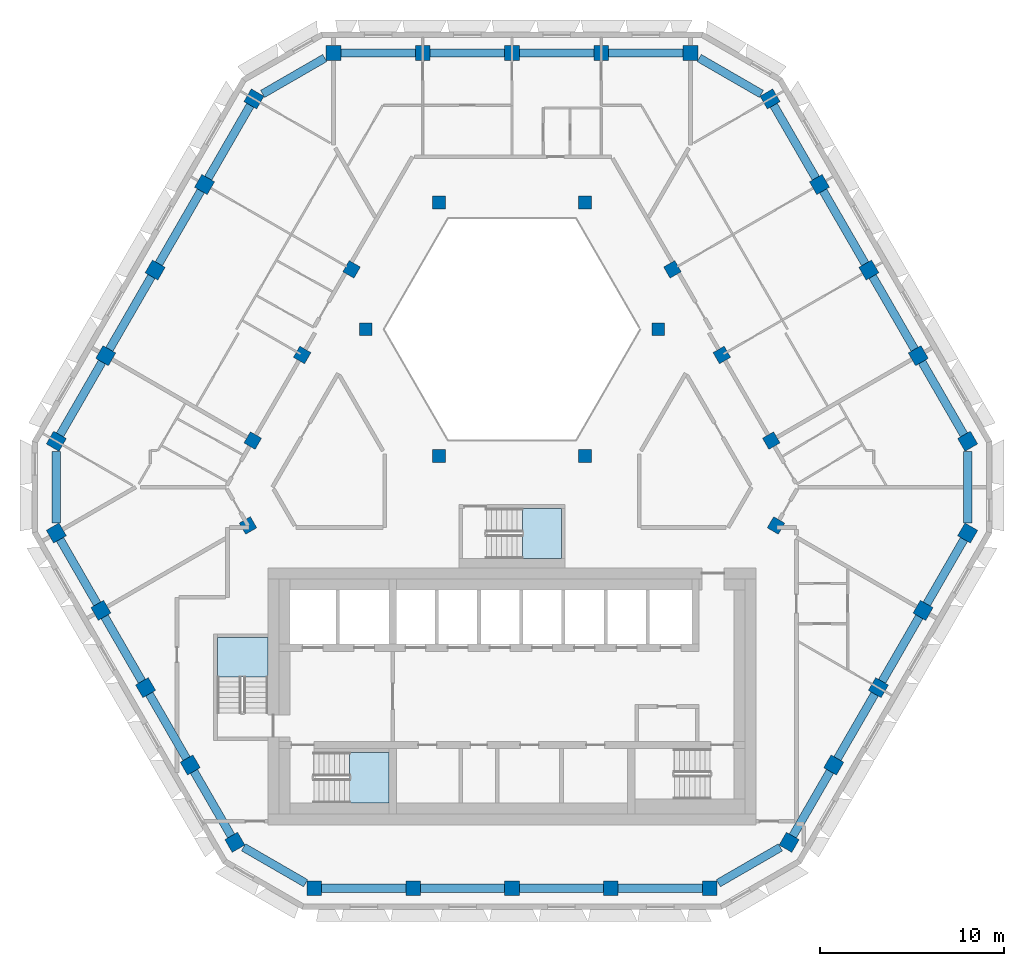
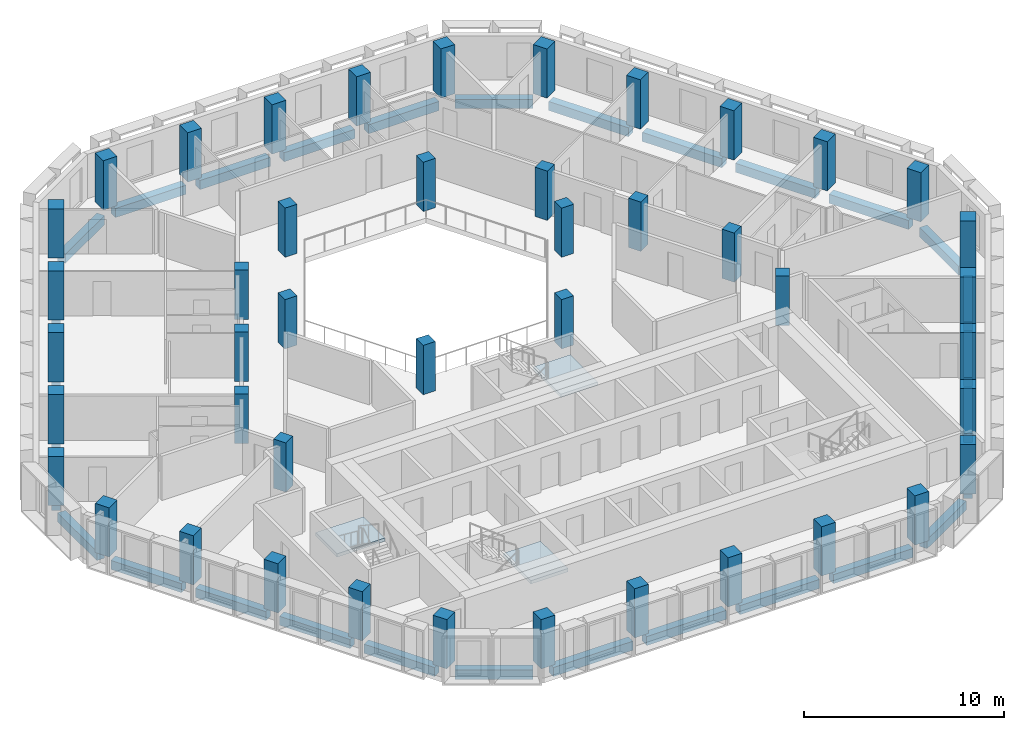
# One storey, part 1 of 15: 44 columns, 30 beams, 3 slabs, 3 elements without a shape of their own.
"""IFC4 building model written with IfcOpenShell, lengths in metres."""

from ifc_helpers import new_model, si_unit, direction, frame, origin, origin_2d, place, context, subcontext, project, spatial, polyline, rectangle, outline, extrude, material, layer, layer_set, material_profile, profile_set, type_object, element, aggregate, save


model = new_model("IFC4")

# Units and contexts
model_context = context("Model", 3, precision=1e-05, world=origin(), true_north=direction((0.0, 1.0)))
body_context = subcontext(model_context, "Body", "Model", "MODEL_VIEW")
ifc_project = project(units=[si_unit("LENGTHUNIT", "METRE"), si_unit("AREAUNIT", "SQUARE_METRE"), si_unit("VOLUMEUNIT", "CUBIC_METRE"), si_unit("PLANEANGLEUNIT", "RADIAN"), si_unit("MASSUNIT", "GRAM", prefix="KILO")], contexts=[model_context])

# Site, building, storey
site_placement = place(None, origin())
site = spatial("IfcSite", under=ifc_project, at=site_placement, CompositionType="ELEMENT")
building_placement = place(site_placement, origin())
building = spatial("IfcBuilding", under=site, at=building_placement, Name="Beryl Residences", CompositionType="ELEMENT")
storey_placement = place(building_placement, frame((0.0, 0.0, 187.199951171875)))
storey = spatial("IfcBuildingStorey", under=building, at=storey_placement, Name="L57", CompositionType="ELEMENT", Elevation=187.199951171875)

# Columns
ifc_material_1 = material(Name="Concrete C50/60", Category="concrete")
ifc_material_profile_1 = material_profile(ifc_material_1, rectangle(XDim=0.800048828125, YDim=0.800048828125, at=origin_2d()))
ifc_profile_set_1 = profile_set([ifc_material_profile_1], Name="Concrete C50/60")
column_type_1 = type_object("IfcColumnType", Name="C4 tube column 800 x 800 C50/60", PredefinedType="COLUMN", material=ifc_profile_set_1)
for number, where, z_axis, x_axis, name in (
    (1, (9.72802734375, 23.050048828125, 0.0), (0.0, 0.0, 1.0), (-1.0, 0.0, 0.0), "C4-N1 L57"),
    (2, (4.864013671875, 23.050048828125, 0.0), (0.0, 0.0, 1.0), (-1.0, 0.0, 0.0), "C4-N2 L57"),
    (3, (0.0, 23.050048828125, 0.0), (0.0, 0.0, 1.0), (-1.0, 0.0, 0.0), "C4-N3 L57"),
    (4, (-4.864013671875, 23.050048828125, 0.0), (0.0, 0.0, 1.0), (-1.0, 0.0, 0.0), "C4-N4 L57"),
    (5, (-9.72802734375, 23.050048828125, 0.0), (0.0, 0.0, 1.0), (-1.0, 0.0, 0.0), "C4-N5 L57"),
    (6, (-14.05810546875, 20.550048828125, 0.0), (0.0, 0.0, 1.0), (-0.5, -0.866025403784, 0.0), "C4-NW1 L57"),
    (7, (-16.75, 15.887939453125, 0.0), (0.0, 0.0, 1.0), (-0.5, -0.866025403784, 0.0), "C4-NW2 L57"),
    (8, (-19.44189453125, 11.22509765625, 0.0), (0.0, 0.0, 1.0), (-0.5, -0.866025403784, 0.0), "C4-NW3 L57"),
    (9, (-22.134033203125, 6.56201171875, 0.0), (0.0, 0.0, 1.0), (-0.5, -0.866025403784, 0.0), "C4-NW4 L57"),
    (10, (-24.825927734375, 1.89990234375, 0.0), (0.0, 0.0, 1.0), (-0.5, -0.866025403784, 0.0), "C4-NW5 L57"),
    (11, (-24.825927734375, -3.09912109375, 0.0), (0.0, 0.0, 1.0), (0.5, -0.866025403784, 0.0), "C4-SW1 L57"),
    (12, (-22.39404296875, -7.31201171875, 0.0), (0.0, 0.0, 1.0), (0.5, -0.866025403784, 0.0), "C4-SW2 L57"),
    (13, (-19.9619140625, -11.52392578125, 0.0), (0.0, 0.0, 1.0), (0.5, -0.866025403784, 0.0), "C4-SW3 L57"),
    (14, (-17.530029296875, -15.736083984375, 0.0), (0.0, 0.0, 1.0), (0.5, -0.866025403784, 0.0), "C4-SW4 L57"),
    (15, (-15.097900390625, -19.948974609375, 0.0), (0.0, 0.0, 1.0), (0.5, -0.866025403784, 0.0), "C4-SW5 L57"),
    (16, (-10.76708984375, -22.449951171875, 0.0), (0.0, 0.0, 1.0), (1.0, 0.0, 0.0), "C4-S1 L57"),
    (17, (-5.383056640625, -22.449951171875, 0.0), (0.0, 0.0, 1.0), (1.0, 0.0, 0.0), "C4-S2 L57"),
    (18, (0.0009765625, -22.449951171875, 0.0), (0.0, 0.0, 1.0), (1.0, 0.0, 0.0), "C4-S3 L57"),
    (19, (5.385009765625, -22.449951171875, 0.0), (0.0, 0.0, 1.0), (1.0, 0.0, 0.0), "C4-S4 L57"),
    (20, (10.76904296875, -22.449951171875, 0.0), (0.0, 0.0, 1.0), (1.0, 0.0, 0.0), "C4-S5 L57"),
    (21, (15.096923828125, -19.950927734375, 0.0), (0.0, 0.0, 1.0), (0.5, 0.866025403784, 0.0), "C4-SE1 L57"),
    (22, (17.529052734375, -15.738037109375, 0.0), (0.0, 0.0, 1.0), (0.5, 0.866025403784, 0.0), "C4-SE2 L57"),
    (23, (19.9609375, -11.52587890625, 0.0), (0.0, 0.0, 1.0), (0.5, 0.866025403784, 0.0), "C4-SE3 L57"),
    (24, (22.39306640625, -7.31396484375, 0.0), (0.0, 0.0, 1.0), (0.5, 0.866025403784, 0.0), "C4-SE4 L57"),
    (25, (24.824951171875, -3.10107421875, 0.0), (0.0, 0.0, 1.0), (0.5, 0.866025403784, 0.0), "C4-SE5 L57"),
    (26, (24.825927734375, 1.89990234375, 0.0), (0.0, 0.0, 1.0), (-0.5, 0.866025403784, 0.0), "C4-NE1 L57"),
    (27, (22.134033203125, 6.56201171875, 0.0), (0.0, 0.0, 1.0), (-0.5, 0.866025403784, 0.0), "C4-NE2 L57"),
    (28, (19.44189453125, 11.22509765625, 0.0), (0.0, 0.0, 1.0), (-0.5, 0.866025403784, 0.0), "C4-NE3 L57"),
    (29, (16.75, 15.887939453125, 0.0), (0.0, 0.0, 1.0), (-0.5, 0.866025403784, 0.0), "C4-NE4 L57"),
    (30, (14.05810546875, 20.550048828125, 0.0), (0.0, 0.0, 1.0), (-0.5, 0.866025403784, 0.0), "C4-NE5 L57"),
):
    element("IfcColumn", number, at=place(storey_placement, frame(where, z_axis=z_axis, x_axis=x_axis)), inside=storey, type_object=column_type_1, Name=name, PredefinedType="COLUMN", context=body_context, shape_type="SweptSolid", body=[
        extrude(rectangle(XDim=0.800048828125, YDim=0.800048828125, at=origin_2d()), origin(), (0.0, 0.0, 1.0), 3.0),
    ])
ifc_material_2 = material(Name="Concrete C50/60", Category="concrete")
ifc_material_profile_2 = material_profile(ifc_material_2, rectangle(XDim=0.699951171875, YDim=0.699951171875, at=origin_2d()))
ifc_profile_set_2 = profile_set([ifc_material_profile_2], Name="Concrete C50/60")
column_type_2 = type_object("IfcColumnType", Name="IC4 interior column 700 x 700 C50/60", PredefinedType="COLUMN", material=ifc_profile_set_2)
for number, where, z_axis, x_axis, name in (
    (31, (-14.383056640625, -2.68701171875, 0.0), (0.0, 0.0, 1.0), (0.5, -0.866025403784, 0.0), "IC4-M01 L57"),
    (32, (14.382080078125, -2.68896484375, 0.0), (0.0, 0.0, 1.0), (0.5, 0.866025403784, 0.0), "IC4-M02 L57"),
    (33, (14.123046875, 1.93701171875, 0.0), (0.0, 0.0, 1.0), (-0.5, 0.866025403784, 0.0), "IC4-M03 L57"),
    (34, (3.98388671875, 1.10009765625, 0.0), (0.0, 0.0, 1.0), (1.0, 0.0, 0.0), "IC4-A04 L57"),
    (35, (11.430908203125, 6.60009765625, 0.0), (0.0, 0.0, 1.0), (-0.5, 0.866025403784, 0.0), "IC4-M05 L57"),
    (36, (7.967041015625, 8.0, 0.0), (0.0, 0.0, 1.0), (1.0, 0.0, 0.0), "IC4-A06 L57"),
    (37, (8.739013671875, 11.262939453125, 0.0), (0.0, 0.0, 1.0), (-0.5, 0.866025403784, 0.0), "IC4-M07 L57"),
    (38, (3.98388671875, 14.89990234375, 0.0), (0.0, 0.0, 1.0), (1.0, 0.0, 0.0), "IC4-A08 L57"),
    (39, (-3.98388671875, 14.89990234375, 0.0), (0.0, 0.0, 1.0), (1.0, 0.0, 0.0), "IC4-A09 L57"),
    (40, (-8.739013671875, 11.262939453125, 0.0), (0.0, 0.0, 1.0), (-0.5, -0.866025403784, 0.0), "IC4-M10 L57"),
    (41, (-7.967041015625, 8.0, 0.0), (0.0, 0.0, 1.0), (1.0, 0.0, 0.0), "IC4-A11 L57"),
    (42, (-11.430908203125, 6.60009765625, 0.0), (0.0, 0.0, 1.0), (-0.5, -0.866025403784, 0.0), "IC4-M12 L57"),
    (43, (-3.98388671875, 1.10009765625, 0.0), (0.0, 0.0, 1.0), (1.0, 0.0, 0.0), "IC4-A13 L57"),
    (44, (-14.123046875, 1.93701171875, 0.0), (0.0, 0.0, 1.0), (-0.5, -0.866025403784, 0.0), "IC4-M14 L57"),
):
    element("IfcColumn", number, at=place(storey_placement, frame(where, z_axis=z_axis, x_axis=x_axis)), inside=storey, type_object=column_type_2, Name=name, PredefinedType="COLUMN", context=body_context, shape_type="SweptSolid", body=[
        extrude(rectangle(XDim=0.699951171875, YDim=0.699951171875, at=origin_2d()), origin(), (0.0, 0.0, 1.0), 3.0),
    ])

# Beams
ifc_material_3 = material(Name="Concrete C50/60", Category="concrete")
ifc_material_profile_3 = material_profile(ifc_material_3, rectangle(XDim=0.449951171875, YDim=0.550048828125, at=origin_2d()))
ifc_profile_set_3 = profile_set([ifc_material_profile_3], Name="Concrete C50/60")
beam_type = type_object("IfcBeamType", Name="SB4 spandrel beam 450 x 550 C50/60", PredefinedType="SPANDREL", material=ifc_profile_set_3)
beam_1_placement = place(storey_placement, frame((9.327880859375, 23.050048828125, -0.574951171875), z_axis=(-1.0, 0.0, 0.0), x_axis=(0.0, -1.0, 0.0)))
element("IfcBeam", 45, at=beam_1_placement, inside=storey, type_object=beam_type, Name="SB4 L57 N-0", PredefinedType="SPANDREL", context=body_context, shape_type="SweptSolid", body=[
    extrude(rectangle(XDim=0.449951171875, YDim=0.550048828125, at=origin_2d()), origin(), (0.0, 0.0, 1.0), 4.06396484375),
])
for number, where, z_axis, x_axis, name in (
    (46, (4.464111328125, 23.050048828125, -0.574951171875), (-1.0, 0.0, 0.0), (0.0, -1.0, 0.0), "SB4 L57 N-1"),
    (47, (-0.39990234375, 23.050048828125, -0.574951171875), (-1.0, 0.0, 0.0), (0.0, -1.0, 0.0), "SB4 L57 N-2"),
):
    element("IfcBeam", number, at=place(storey_placement, frame(where, z_axis=z_axis, x_axis=x_axis)), inside=storey, type_object=beam_type, Name=name, PredefinedType="SPANDREL", context=body_context, shape_type="SweptSolid", body=[
        extrude(rectangle(XDim=0.449951171875, YDim=0.550048828125, at=origin_2d()), origin(), (0.0, 0.0, 1.0), 4.064208984375),
    ])
beam_2_placement = place(storey_placement, frame((-5.263916015625, 23.050048828125, -0.574951171875), z_axis=(-1.0, 0.0, 0.0), x_axis=(0.0, -1.0, 0.0)))
element("IfcBeam", 48, at=beam_2_placement, inside=storey, type_object=beam_type, Name="SB4 L57 N-3", PredefinedType="SPANDREL", context=body_context, shape_type="SweptSolid", body=[
    extrude(rectangle(XDim=0.449951171875, YDim=0.550048828125, at=origin_2d()), origin(), (0.0, 0.0, 1.0), 4.06396484375),
])
beam_3_placement = place(storey_placement, frame((-10.200927734375, 22.777099609375, -0.574951171875), z_axis=(-0.865988935984, -0.500063158763, 0.0), x_axis=(0.500063158763, -0.865988935984, 0.0)))
element("IfcBeam", 49, at=beam_3_placement, inside=storey, type_object=beam_type, Name="SB4 L57 N-4", PredefinedType="SPANDREL", context=body_context, shape_type="SweptSolid", body=[
    extrude(rectangle(XDim=0.449951171875, YDim=0.550048828125, at=origin_2d()), origin(), (0.0, 0.0, 1.0), 3.90771484375),
])
beam_4_placement = place(storey_placement, frame((-14.258056640625, 20.2041015625, -0.574951171875), z_axis=(-0.499965247104, -0.866045467449, 0.0), x_axis=(0.866045467449, -0.499965247104, 0.0)))
element("IfcBeam", 50, at=beam_4_placement, inside=storey, type_object=beam_type, Name="SB4 L57 NW-0", PredefinedType="SPANDREL", context=body_context, shape_type="SweptSolid", body=[
    extrude(rectangle(XDim=0.449951171875, YDim=0.550048828125, at=origin_2d()), origin(), (0.0, 0.0, 1.0), 4.584228515625),
])
for number, where, z_axis, x_axis, name in (
    (51, (-16.949951171875, 15.5419921875, -0.574951171875), (-0.499896077001, -0.866085395443, 0.0), (0.866085395443, -0.499896077001, 0.0), "SB4 L57 NW-1"),
    (52, (-19.64208984375, 10.87890625, -0.574951171875), (-0.499896077001, -0.866085395443, 0.0), (0.866085395443, -0.499896077001, 0.0), "SB4 L57 NW-2"),
):
    element("IfcBeam", number, at=place(storey_placement, frame(where, z_axis=z_axis, x_axis=x_axis)), inside=storey, type_object=beam_type, Name=name, PredefinedType="SPANDREL", context=body_context, shape_type="SweptSolid", body=[
        extrude(rectangle(XDim=0.449951171875, YDim=0.550048828125, at=origin_2d()), origin(), (0.0, 0.0, 1.0), 4.5849609375),
    ])
beam_5_placement = place(storey_placement, frame((-22.333984375, 6.216064453125, -0.574951171875), z_axis=(-0.49998830735, -0.866032154434, 0.0), x_axis=(0.866032154434, -0.49998830735, 0.0)))
element("IfcBeam", 53, at=beam_5_placement, inside=storey, type_object=beam_type, Name="SB4 L57 NW-3", PredefinedType="SPANDREL", context=body_context, shape_type="SweptSolid", body=[
    extrude(rectangle(XDim=0.449951171875, YDim=0.550048828125, at=origin_2d()), origin(), (0.0, 0.0, 1.0), 4.583984375),
])
beam_6_placement = place(storey_placement, frame((-24.825927734375, 1.35400390625, -0.574951171875), z_axis=(0.0, -1.0, 0.0), x_axis=(1.0, 0.0, 0.0)))
element("IfcBeam", 54, at=beam_6_placement, inside=storey, type_object=beam_type, Name="SB4 L57 NW-4", PredefinedType="SPANDREL", context=body_context, shape_type="SweptSolid", body=[
    extrude(rectangle(XDim=0.449951171875, YDim=0.550048828125, at=origin_2d()), origin(), (0.0, 0.0, 1.0), 3.906982421875),
])
beam_7_placement = place(storey_placement, frame((-24.6259765625, -3.445068359375, -0.574951171875), z_axis=(0.499840293234, -0.866117590896, 0.0), x_axis=(0.866117590896, 0.499840293234, 0.0)))
element("IfcBeam", 55, at=beam_7_placement, inside=storey, type_object=beam_type, Name="SB4 L57 SW-0", PredefinedType="SPANDREL", context=body_context, shape_type="SweptSolid", body=[
    extrude(rectangle(XDim=0.449951171875, YDim=0.550048828125, at=origin_2d()), origin(), (0.0, 0.0, 1.0), 4.065185546875),
])
beam_8_placement = place(storey_placement, frame((-22.194091796875, -7.657958984375, -0.574951171875), z_axis=(0.499944307952, -0.866057555216, 0.0), x_axis=(0.866057555216, 0.499944307952, 0.0)))
element("IfcBeam", 56, at=beam_8_placement, inside=storey, type_object=beam_type, Name="SB4 L57 SW-1", PredefinedType="SPANDREL", context=body_context, shape_type="SweptSolid", body=[
    extrude(rectangle(XDim=0.449951171875, YDim=0.550048828125, at=origin_2d()), origin(), (0.0, 0.0, 1.0), 4.064453125),
])
beam_9_placement = place(storey_placement, frame((-19.761962890625, -11.8701171875, -0.574951171875), z_axis=(0.499970317269, -0.866042540439, 0.0), x_axis=(0.866042540439, 0.499970317269, 0.0)))
element("IfcBeam", 57, at=beam_9_placement, inside=storey, type_object=beam_type, Name="SB4 L57 SW-2", PredefinedType="SPANDREL", context=body_context, shape_type="SweptSolid", body=[
    extrude(rectangle(XDim=0.449951171875, YDim=0.550048828125, at=origin_2d()), origin(), (0.0, 0.0, 1.0), 4.064208984375),
])
beam_10_placement = place(storey_placement, frame((-17.330078125, -16.08203125, -0.574951171875), z_axis=(0.499840293234, -0.866117590896, 0.0), x_axis=(0.866117590896, 0.499840293234, 0.0)))
element("IfcBeam", 58, at=beam_10_placement, inside=storey, type_object=beam_type, Name="SB4 L57 SW-3", PredefinedType="SPANDREL", context=body_context, shape_type="SweptSolid", body=[
    extrude(rectangle(XDim=0.449951171875, YDim=0.550048828125, at=origin_2d()), origin(), (0.0, 0.0, 1.0), 4.065185546875),
])
beam_11_placement = place(storey_placement, frame((-14.625, -20.221923828125, -0.574951171875), z_axis=(0.865943218558, -0.500142321977, 0.0), x_axis=(0.500142321977, 0.865943218558, 0.0)))
element("IfcBeam", 59, at=beam_11_placement, inside=storey, type_object=beam_type, Name="SB4 L57 SW-4", PredefinedType="SPANDREL", context=body_context, shape_type="SweptSolid", body=[
    extrude(rectangle(XDim=0.449951171875, YDim=0.550048828125, at=origin_2d()), origin(), (0.0, 0.0, 1.0), 3.908935546875),
])
for number, where, z_axis, x_axis, name in (
    (60, (-10.366943359375, -22.449951171875, -0.574951171875), (1.0, 0.0, 0.0), (0.0, 1.0, 0.0), "SB4 L57 S-0"),
    (61, (-4.98291015625, -22.449951171875, -0.574951171875), (1.0, 0.0, 0.0), (0.0, 1.0, 0.0), "SB4 L57 S-1"),
):
    element("IfcBeam", number, at=place(storey_placement, frame(where, z_axis=z_axis, x_axis=x_axis)), inside=storey, type_object=beam_type, Name=name, PredefinedType="SPANDREL", context=body_context, shape_type="SweptSolid", body=[
        extrude(rectangle(XDim=0.449951171875, YDim=0.550048828125, at=origin_2d()), origin(), (0.0, 0.0, 1.0), 4.583984375),
    ])
beam_12_placement = place(storey_placement, frame((0.40087890625, -22.449951171875, -0.574951171875), z_axis=(1.0, 0.0, 0.0), x_axis=(0.0, 1.0, 0.0)))
element("IfcBeam", 62, at=beam_12_placement, inside=storey, type_object=beam_type, Name="SB4 L57 S-2", PredefinedType="SPANDREL", context=body_context, shape_type="SweptSolid", body=[
    extrude(rectangle(XDim=0.449951171875, YDim=0.550048828125, at=origin_2d()), origin(), (0.0, 0.0, 1.0), 4.584228515625),
])
beam_13_placement = place(storey_placement, frame((5.784912109375, -22.449951171875, -0.574951171875), z_axis=(1.0, 0.0, 0.0), x_axis=(0.0, 1.0, 0.0)))
element("IfcBeam", 63, at=beam_13_placement, inside=storey, type_object=beam_type, Name="SB4 L57 S-3", PredefinedType="SPANDREL", context=body_context, shape_type="SweptSolid", body=[
    extrude(rectangle(XDim=0.449951171875, YDim=0.550048828125, at=origin_2d()), origin(), (0.0, 0.0, 1.0), 4.583984375),
])
beam_14_placement = place(storey_placement, frame((11.241943359375, -22.177001953125, -0.574951171875), z_axis=(0.865999234303, 0.500045324131, 0.0), x_axis=(-0.500045324131, 0.865999234303, 0.0)))
element("IfcBeam", 64, at=beam_14_placement, inside=storey, type_object=beam_type, Name="SB4 L57 S-4", PredefinedType="SPANDREL", context=body_context, shape_type="SweptSolid", body=[
    extrude(rectangle(XDim=0.449951171875, YDim=0.550048828125, at=origin_2d()), origin(), (0.0, 0.0, 1.0), 3.905517578125),
])
beam_15_placement = place(storey_placement, frame((15.297119140625, -19.60498046875, -0.574951171875), z_axis=(0.499840293234, 0.866117590896, 0.0), x_axis=(-0.866117590896, 0.499840293234, 0.0)))
element("IfcBeam", 65, at=beam_15_placement, inside=storey, type_object=beam_type, Name="SB4 L57 SE-0", PredefinedType="SPANDREL", context=body_context, shape_type="SweptSolid", body=[
    extrude(rectangle(XDim=0.449951171875, YDim=0.550048828125, at=origin_2d()), origin(), (0.0, 0.0, 1.0), 4.065185546875),
])
for number, where, z_axis, x_axis, name in (
    (66, (17.72900390625, -15.39208984375, -0.574951171875), (0.499944307952, 0.866057555216, 0.0), (-0.866057555216, 0.499944307952, 0.0), "SB4 L57 SE-1"),
    (67, (20.160888671875, -11.179931640625, -0.574951171875), (0.499989360119, 0.866031546636, 0.0), (-0.866031546636, 0.499989360119, 0.0), "SB4 L57 SE-2"),
):
    element("IfcBeam", number, at=place(storey_placement, frame(where, z_axis=z_axis, x_axis=x_axis)), inside=storey, type_object=beam_type, Name=name, PredefinedType="SPANDREL", context=body_context, shape_type="SweptSolid", body=[
        extrude(rectangle(XDim=0.449951171875, YDim=0.550048828125, at=origin_2d()), origin(), (0.0, 0.0, 1.0), 4.064453125),
    ])
beam_16_placement = place(storey_placement, frame((22.593017578125, -6.968017578125, -0.574951171875), z_axis=(0.499840293234, 0.866117590896, 0.0), x_axis=(-0.866117590896, 0.499840293234, 0.0)))
element("IfcBeam", 68, at=beam_16_placement, inside=storey, type_object=beam_type, Name="SB4 L57 SE-3", PredefinedType="SPANDREL", context=body_context, shape_type="SweptSolid", body=[
    extrude(rectangle(XDim=0.449951171875, YDim=0.550048828125, at=origin_2d()), origin(), (0.0, 0.0, 1.0), 4.065185546875),
])
beam_17_placement = place(storey_placement, frame((24.824951171875, -2.554931640625, -0.574951171875), z_axis=(0.000249828235, 0.999999968793, 0.0), x_axis=(-0.999999968793, 0.000249828235, 0.0)))
element("IfcBeam", 69, at=beam_17_placement, inside=storey, type_object=beam_type, Name="SB4 L57 SE-4", PredefinedType="SPANDREL", context=body_context, shape_type="SweptSolid", body=[
    extrude(rectangle(XDim=0.449951171875, YDim=0.550048828125, at=origin_2d()), origin(), (0.0, 0.0, 1.0), 3.908935546875),
])
beam_18_placement = place(storey_placement, frame((24.6259765625, 2.24609375, -0.574951171875), z_axis=(-0.49998830735, 0.866032154434, 0.0), x_axis=(-0.866032154434, -0.49998830735, 0.0)))
element("IfcBeam", 70, at=beam_18_placement, inside=storey, type_object=beam_type, Name="SB4 L57 NE-0", PredefinedType="SPANDREL", context=body_context, shape_type="SweptSolid", body=[
    extrude(rectangle(XDim=0.449951171875, YDim=0.550048828125, at=origin_2d()), origin(), (0.0, 0.0, 1.0), 4.583984375),
])
for number, where, z_axis, x_axis, name in (
    (71, (21.93408203125, 6.907958984375, -0.574951171875), (-0.499896077001, 0.866085395443, 0.0), (-0.866085395443, -0.499896077001, 0.0), "SB4 L57 NE-1"),
    (72, (19.241943359375, 11.571044921875, -0.574951171875), (-0.499896077001, 0.866085395443, 0.0), (-0.866085395443, -0.499896077001, 0.0), "SB4 L57 NE-2"),
):
    element("IfcBeam", number, at=place(storey_placement, frame(where, z_axis=z_axis, x_axis=x_axis)), inside=storey, type_object=beam_type, Name=name, PredefinedType="SPANDREL", context=body_context, shape_type="SweptSolid", body=[
        extrude(rectangle(XDim=0.449951171875, YDim=0.550048828125, at=origin_2d()), origin(), (0.0, 0.0, 1.0), 4.5849609375),
    ])
beam_19_placement = place(storey_placement, frame((16.550048828125, 16.23388671875, -0.574951171875), z_axis=(-0.499965247104, 0.866045467449, 0.0), x_axis=(-0.866045467449, -0.499965247104, 0.0)))
element("IfcBeam", 73, at=beam_19_placement, inside=storey, type_object=beam_type, Name="SB4 L57 NE-3", PredefinedType="SPANDREL", context=body_context, shape_type="SweptSolid", body=[
    extrude(rectangle(XDim=0.449951171875, YDim=0.550048828125, at=origin_2d()), origin(), (0.0, 0.0, 1.0), 4.584228515625),
])
beam_20_placement = place(storey_placement, frame((13.5849609375, 20.822998046875, -0.574951171875), z_axis=(-0.865988935984, 0.500063158763, 0.0), x_axis=(-0.500063158763, -0.865988935984, 0.0)))
element("IfcBeam", 74, at=beam_20_placement, inside=storey, type_object=beam_type, Name="SB4 L57 NE-4", PredefinedType="SPANDREL", context=body_context, shape_type="SweptSolid", body=[
    extrude(rectangle(XDim=0.449951171875, YDim=0.550048828125, at=origin_2d()), origin(), (0.0, 0.0, 1.0), 3.90771484375),
])

# Stair, slab
ifc_material_4 = material(Name="Concrete C40/50", Category="concrete")
stair_type = type_object("IfcStairType", Name="ST1 protected exit stair, half-turn, 1300 mm flights", PredefinedType="HALF_TURN_STAIR", material=ifc_material_4)
stair_1_placement = place(storey_placement, origin())
stair_1 = element("IfcStair", 75, at=stair_1_placement, inside=storey, type_object=stair_type, Name="L57 PROTECTED EXIT STAIR ST-1", PredefinedType="HALF_TURN_STAIR")
ifc_material_5 = material(Name="Concrete C40/50", Category="concrete")
ifc_layer = layer(ifc_material_5, 0.199951171875)
ifc_layer_set = layer_set([ifc_layer], Name="SLD1 stair landing 200 mm")
slab_type = type_object("IfcSlabType", Name="SLD1 stair landing 200 mm", PredefinedType="LANDING", material=ifc_layer_set)
slab_1_placement = place(storey_placement, frame((0.0, 0.0, 1.300048828125)))
slab_1 = element("IfcSlab", 76, at=slab_1_placement, type_object=slab_type, Name="ST-1 landing 1", PredefinedType="LANDING", context=body_context, shape_type="SweptSolid", body=[
    extrude(outline(polyline([(-8.840087890625, -17.800048828125), (-6.699951171875, -17.800048828125), (-6.699951171875, -15.050048828125), (-8.840087890625, -15.050048828125), (-8.840087890625, -17.800048828125)])), origin(), (0.0, 0.0, 1.0), 0.199951171875),
])
aggregate(stair_1, [slab_1])

stair_2_placement = place(storey_placement, origin())
stair_2 = element("IfcStair", 77, at=stair_2_placement, inside=storey, type_object=stair_type, Name="L57 PROTECTED EXIT STAIR ST-2", PredefinedType="HALF_TURN_STAIR")
slab_2_placement = place(storey_placement, frame((0.0, 0.0, 1.300048828125)))
slab_2 = element("IfcSlab", 78, at=slab_2_placement, type_object=slab_type, Name="ST-2 landing 1", PredefinedType="LANDING", context=body_context, shape_type="SweptSolid", body=[
    extrude(outline(polyline([(-13.300048828125, -10.93994140625), (-13.300048828125, -8.800048828125), (-16.050048828125, -8.800048828125), (-16.050048828125, -10.93994140625), (-13.300048828125, -10.93994140625)])), origin(), (0.0, 0.0, 1.0), 0.199951171875),
])
aggregate(stair_2, [slab_2])

stair_3_placement = place(storey_placement, origin())
stair_3 = element("IfcStair", 79, at=stair_3_placement, inside=storey, type_object=stair_type, Name="L57 PROTECTED EXIT STAIR ST-4", PredefinedType="HALF_TURN_STAIR")
slab_3_placement = place(storey_placement, frame((0.0, 0.0, 1.300048828125)))
slab_3 = element("IfcSlab", 80, at=slab_3_placement, type_object=slab_type, Name="ST-4 landing 1", PredefinedType="LANDING", context=body_context, shape_type="SweptSolid", body=[
    extrude(outline(polyline([(0.56005859375, -4.5), (2.699951171875, -4.5), (2.699951171875, -1.75), (0.56005859375, -1.75), (0.56005859375, -4.5)])), origin(), (0.0, 0.0, 1.0), 0.199951171875),
])
aggregate(stair_3, [slab_3])

save(model, "model.ifc")
